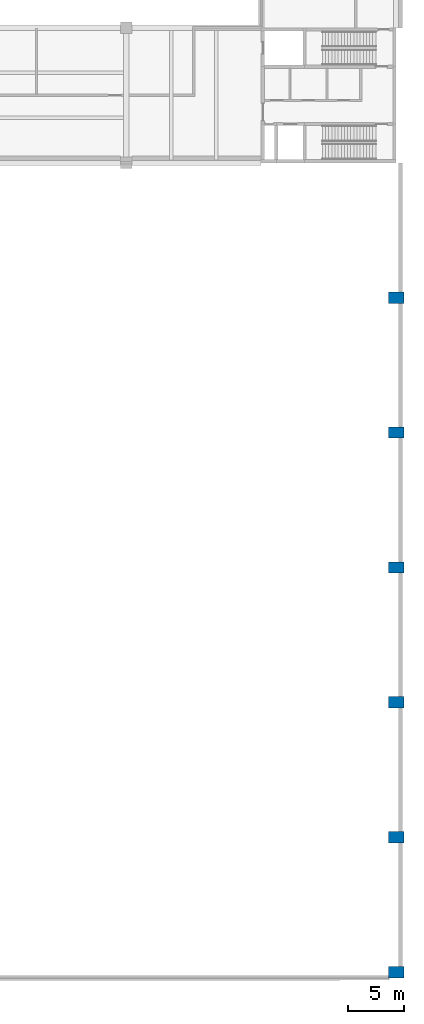
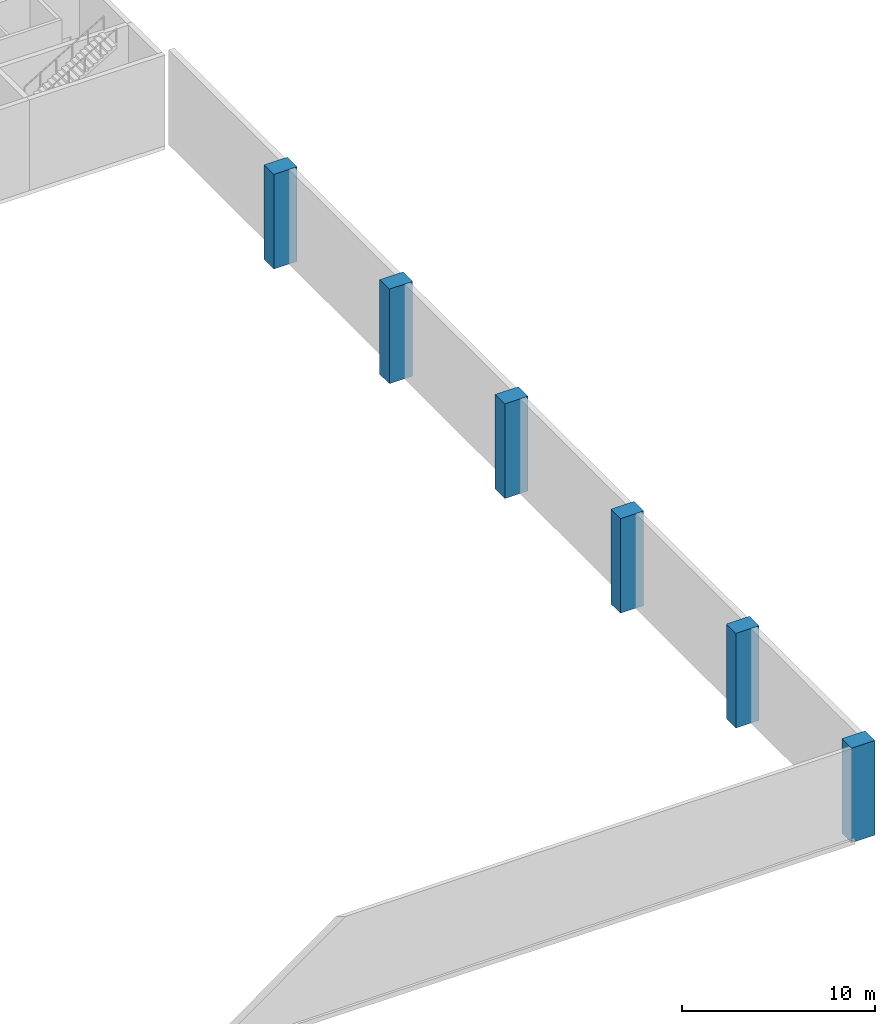
# One storey, part 3 of 72: 6 columns.
"""IFC4 building model written with IfcOpenShell, lengths in metres."""

import ifcopenshell
import ifcopenshell.guid

model = None  # the IFC model being written
_history = None  # IfcOwnerHistory: only IFC2X3 demands one
_inside = {}  # id of a spatial element -> (the spatial element, [elements in it])
_under = {}  # id of a project, library or spatial element -> (it, [spatial elements below it])
_declared = {}  # id of a project -> (the project, [libraries it declares])
_typed = {}  # id of a type object -> (the type object, [elements of that type])
_made_of = {}  # id of a material, layer set ... -> (it, [elements and type objects made of it])


def new_model(schema):
    """Start an empty IFC model of exactly this schema.

    Asked for "IFC4X3", IfcOpenShell would pick the latest addendum, in which some entities
    have other attributes; the version numbers below select the first issue.
    IFC2X3 requires an IfcOwnerHistory on every rooted entity: one is made here for all.
    """
    global model, _history
    if schema == "IFC4X3":
        model = ifcopenshell.file(schema_version=(4, 3, 0, 0))
    else:
        model = ifcopenshell.file(schema=schema)
    _inside.clear()
    _under.clear()
    _declared.clear()
    _typed.clear()
    _made_of.clear()
    _history = None
    if model.schema == "IFC2X3":
        org = make("IfcOrganization", Name="unknown")
        user = make(
            "IfcPersonAndOrganization",
            ThePerson=make("IfcPerson", FamilyName="unknown"),
            TheOrganization=org,
        )
        app = make(
            "IfcApplication",
            ApplicationDeveloper=org,
            Version="unknown",
            ApplicationFullName="unknown",
            ApplicationIdentifier="unknown",
        )
        _history = make(
            "IfcOwnerHistory",
            OwningUser=user,
            OwningApplication=app,
            ChangeAction="ADDED",
            CreationDate=0,
        )
    return model


def make(cls, **values):
    """One entity of the class cls with the attributes given. An attribute that is None is left unset."""
    return model.create_entity(
        cls, **{name: value for name, value in values.items() if value is not None}
    )


def rooted(cls, **values):
    """An entity with a GlobalId (a new one), such as an element, a storey or a relation."""
    return make(cls, GlobalId=ifcopenshell.guid.new(), OwnerHistory=_history, **values)


def si_unit(unit_type, name, prefix=None):
    """IfcSIUnit, for example si_unit("LENGTHUNIT", "METRE", prefix="MILLI")."""
    return make("IfcSIUnit", UnitType=unit_type, Prefix=prefix, Name=name)


def assignment(units):
    """IfcUnitAssignment: the units of a project."""
    return None if units is None else make("IfcUnitAssignment", Units=units)


def point(xyz):
    """IfcCartesianPoint."""
    return None if xyz is None else make("IfcCartesianPoint", Coordinates=xyz)


def direction(xyz):
    """IfcDirection."""
    return None if xyz is None else make("IfcDirection", DirectionRatios=xyz)


def frame(location, z_axis=None, x_axis=None):
    """IfcAxis2Placement3D, a coordinate frame: its origin and axes. An axis left out is left unset."""
    return make(
        "IfcAxis2Placement3D",
        Location=point(location),
        Axis=direction(z_axis),
        RefDirection=direction(x_axis),
    )


def frame_2d(location, x_axis=None):
    """IfcAxis2Placement2D, a coordinate frame in the plane: its origin and x axis."""
    return make(
        "IfcAxis2Placement2D", Location=point(location), RefDirection=direction(x_axis)
    )


def origin():
    """The frame at (0, 0, 0) with its axes left unset."""
    return frame((0.0, 0.0, 0.0))


def origin_2d():
    """The frame at (0, 0) in the plane with its x axis left unset."""
    return frame_2d((0.0, 0.0))


def place(relative_to, where):
    """IfcLocalPlacement: puts the frame where relative to a parent placement (None: the world)."""
    return make(
        "IfcLocalPlacement", PlacementRelTo=relative_to, RelativePlacement=where
    )


def context(
    kind, dimensions, precision=None, world=None, true_north=None, identifier=None
):
    """IfcGeometricRepresentationContext, for example the 3D "Model" context."""
    return make(
        "IfcGeometricRepresentationContext",
        ContextIdentifier=identifier,
        ContextType=kind,
        CoordinateSpaceDimension=dimensions,
        Precision=precision,
        WorldCoordinateSystem=world,
        TrueNorth=true_north,
    )


def subcontext(parent, identifier, kind, view, scale=None):
    """IfcGeometricRepresentationSubContext, for example "Body" below "Model"."""
    return make(
        "IfcGeometricRepresentationSubContext",
        ContextIdentifier=identifier,
        ContextType=kind,
        ParentContext=parent,
        TargetScale=scale,
        TargetView=view,
    )


def project(units=None, contexts=None):
    """IfcProject with its units and contexts."""
    return rooted(
        "IfcProject",
        Name="project",
        RepresentationContexts=contexts,
        UnitsInContext=assignment(units),
    )


def spatial(cls, under=None, at=None, **own):
    """A site, building, storey or space (cls), placed at a placement, below another one or the project."""
    s = rooted(cls, ObjectPlacement=at, **own)
    if under is not None:
        _under.setdefault(under.id(), (under, []))[1].append(s)
    return s


def profile(cls, at=None, kind="AREA", **sizes):
    """A parametric profile (cls). Its sizes go by their IFC names, for example OverallWidth=200.0."""
    return make(cls, ProfileType=kind, Position=at, **sizes)


def rectangle(**sizes):
    """IfcRectangleProfileDef."""
    return profile("IfcRectangleProfileDef", **sizes)


def extrude(swept, where, along, depth):
    """IfcExtrudedAreaSolid: the profile swept, set in the frame where, extruded along a direction by depth."""
    return make(
        "IfcExtrudedAreaSolid",
        SweptArea=swept,
        Position=where,
        ExtrudedDirection=direction(along),
        Depth=depth,
    )


def shape(context_of_items, identifier, shape_type, items):
    """IfcShapeRepresentation: the items that make up one representation, for example the "Body"."""
    return make(
        "IfcShapeRepresentation",
        ContextOfItems=context_of_items,
        RepresentationIdentifier=identifier,
        RepresentationType=shape_type,
        Items=items,
    )


def material(Name=None, Category=None):
    """IfcMaterial."""
    return make("IfcMaterial", Name=Name, Category=Category)


def material_profile(
    of_material, cross_section, Name=None, Category=None, Priority=None
):
    """IfcMaterialProfile: a cross section and its material."""
    return make(
        "IfcMaterialProfile",
        Name=Name,
        Material=of_material,
        Profile=cross_section,
        Priority=Priority,
        Category=Category,
    )


def profile_set(profiles, Name=None, composite=None):
    """IfcMaterialProfileSet."""
    return make(
        "IfcMaterialProfileSet",
        Name=Name,
        MaterialProfiles=profiles,
        CompositeProfile=composite,
    )


def made_of(thing, what):
    """Note that an element or type object is made of a material, layer set ...; save() writes the relation."""
    if what is not None:
        _made_of.setdefault(what.id(), (what, []))[1].append(thing)
    return thing


def type_object(cls, material=None, **own):
    """A type object (cls), such as IfcWallType, which elements share."""
    return made_of(rooted(cls, **own), material)


def element(
    cls,
    number,
    at=None,
    inside=None,
    cuts=None,
    type_object=None,
    material=None,
    context=None,
    identifier="Body",
    shape_type=None,
    held_by="IfcProductDefinitionShape",
    body=None,
    shapes=None,
    **own,
):
    """One element of the class cls, such as IfcWall. Its Tag is "e" and its number.

    at: its placement. inside: the storey or other place that contains it. cuts: it is an
    opening in that element (IfcRelVoidsElement). A single representation is given by context,
    identifier, shape_type and body (its items); several are given by shapes. held_by: the class
    of the entity that holds the representations. save() writes the other relations.
    """
    e = rooted(cls, Tag="e%d" % number, ObjectPlacement=at, **own)
    if body is not None:
        shapes = [shape(context, identifier, shape_type, body)]
    if shapes is not None:
        e.Representation = make(held_by, Representations=shapes)
    if inside is not None:
        _inside.setdefault(inside.id(), (inside, []))[1].append(e)
    if cuts is not None:
        rooted(
            "IfcRelVoidsElement", RelatingBuildingElement=cuts, RelatedOpeningElement=e
        )
    if type_object is not None:
        _typed.setdefault(type_object.id(), (type_object, []))[1].append(e)
    return made_of(e, material)


def aggregate(whole, parts):
    """IfcRelAggregates: a whole, such as a stair, and the parts it consists of."""
    return rooted("IfcRelAggregates", RelatingObject=whole, RelatedObjects=parts)


def save(model, path):
    """Write the relations noted so far, then the file.

    IfcRelAggregates (storeys below a building ...), IfcRelContainedInSpatialStructure (elements
    in a storey), IfcRelDefinesByType, IfcRelAssociatesMaterial and IfcRelDeclares: one each for
    every whole, place, type object, material and project.
    """
    for whole, parts in _under.values():
        aggregate(whole, parts)
    for where, things in _inside.values():
        rooted(
            "IfcRelContainedInSpatialStructure",
            RelatedElements=things,
            RelatingStructure=where,
        )
    for kind, things in _typed.values():
        rooted("IfcRelDefinesByType", RelatedObjects=things, RelatingType=kind)
    for what, things in _made_of.values():
        rooted("IfcRelAssociatesMaterial", RelatedObjects=things, RelatingMaterial=what)
    for by, libraries in _declared.values():
        rooted("IfcRelDeclares", RelatingContext=by, RelatedDefinitions=libraries)
    model.write(path)


model = new_model("IFC4")

# Units and contexts
model_context = context("Model", 3, precision=1e-05, world=origin(), true_north=direction((0.0, 1.0)))
body_context = subcontext(model_context, "Body", "Model", "MODEL_VIEW")
ifc_project = project(units=[si_unit("LENGTHUNIT", "METRE"), si_unit("AREAUNIT", "SQUARE_METRE"), si_unit("VOLUMEUNIT", "CUBIC_METRE"), si_unit("PLANEANGLEUNIT", "RADIAN"), si_unit("MASSUNIT", "GRAM", prefix="KILO")], contexts=[model_context])

# Site, building, storey
site_placement = place(None, origin())
site = spatial("IfcSite", under=ifc_project, at=site_placement, CompositionType="ELEMENT")
building_placement = place(site_placement, origin())
building = spatial("IfcBuilding", under=site, at=building_placement, Name="Lilac Gate Convention Centre", CompositionType="ELEMENT")
storey_placement = place(building_placement, frame((0.0, 0.0, 6.0)))
storey = spatial("IfcBuildingStorey", under=building, at=storey_placement, Name="L01", CompositionType="ELEMENT", Elevation=6.0)

# Columns
ifc_material = material(Name="Concrete C40", Category="concrete")
ifc_material_profile = material_profile(ifc_material, rectangle(XDim=1.39990234375, YDim=1.0, at=origin_2d()), Name="RC 1400x1000")
ifc_profile_set = profile_set([ifc_material_profile], Name="Concrete C40")
column_type = type_object("IfcColumnType", Name="RC hall column 1400x1000 C40", PredefinedType="COLUMN", material=ifc_profile_set)
for number, where, z_axis, x_axis, name in (
    (1, (90.0, 30.0, 0.0), (0.0, 0.0, 1.0), (1.0, 0.0, 0.0), "C2 L01 at 8/A"),
    (2, (90.0, 42.0, 0.0), (0.0, 0.0, 1.0), (1.0, 0.0, 0.0), "C2 L01 at 8/B"),
    (3, (90.0, 54.0, 0.0), (0.0, 0.0, 1.0), (1.0, 0.0, 0.0), "C2 L01 at 8/C"),
    (4, (90.0, 66.0, 0.0), (0.0, 0.0, 1.0), (1.0, 0.0, 0.0), "C2 L01 at 8/D"),
    (5, (90.0, 78.0, 0.0), (0.0, 0.0, 1.0), (1.0, 0.0, 0.0), "C2 L01 at 8/E"),
    (6, (90.0, 90.0, 0.0), (0.0, 0.0, 1.0), (1.0, 0.0, 0.0), "C2 L01 at 8/F"),
):
    element("IfcColumn", number, at=place(storey_placement, frame(where, z_axis=z_axis, x_axis=x_axis)), inside=storey, type_object=column_type, Name=name, PredefinedType="COLUMN", context=body_context, shape_type="SweptSolid", body=[
        extrude(rectangle(XDim=1.39990234375, YDim=1.0, at=origin_2d()), origin(), (0.0, 0.0, 1.0), 6.0),
    ])

save(model, "model.ifc")
